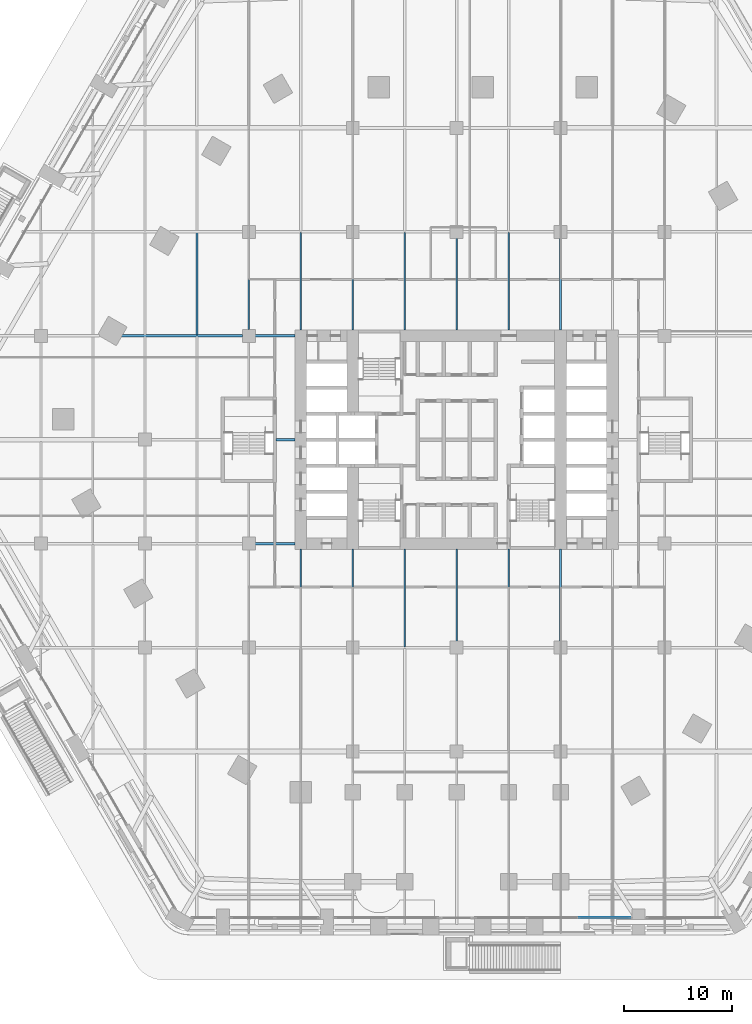
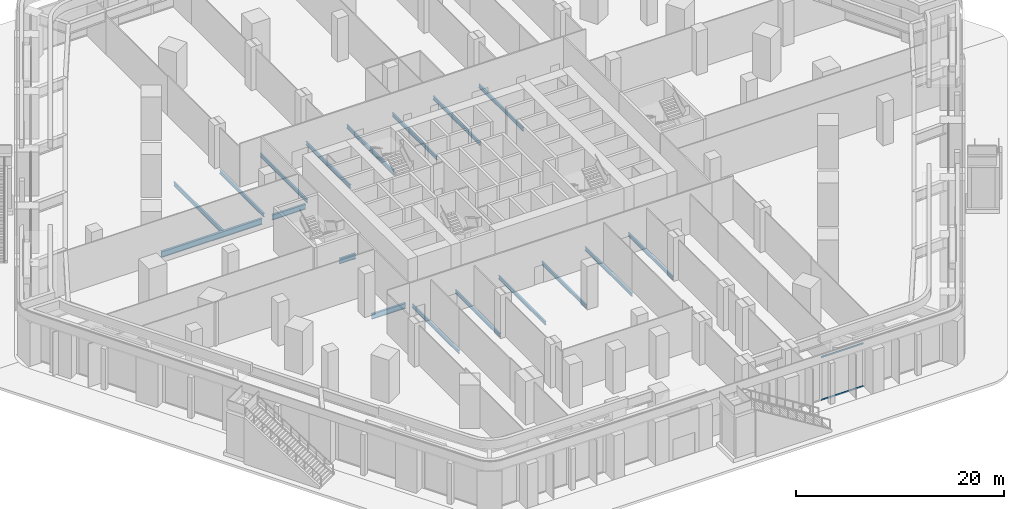
# One storey, part 5 of 34: 18 beams, 2 members, 1 element without a shape of its own.
"""IFC4 building model written with IfcOpenShell, lengths in metres."""

from ifc_helpers import new_model, si_unit, direction, frame, origin, origin_2d, place, context, subcontext, project, spatial, rectangle, i_section, extrude, material, material_profile, profile_set, type_object, element, aggregate, save


model = new_model("IFC4")

# Units and contexts
model_context = context("Model", 3, precision=1e-05, world=origin(), true_north=direction((0.0, 1.0)))
body_context = subcontext(model_context, "Body", "Model", "MODEL_VIEW")
ifc_project = project(units=[si_unit("LENGTHUNIT", "METRE"), si_unit("AREAUNIT", "SQUARE_METRE"), si_unit("VOLUMEUNIT", "CUBIC_METRE"), si_unit("PLANEANGLEUNIT", "RADIAN"), si_unit("MASSUNIT", "GRAM", prefix="KILO")], contexts=[model_context])

# Site, building, storey
site_placement = place(None, origin())
site = spatial("IfcSite", under=ifc_project, at=site_placement, CompositionType="ELEMENT")
building_placement = place(site_placement, origin())
building = spatial("IfcBuilding", under=site, at=building_placement, Name="Kolab Exchange Tower", CompositionType="ELEMENT")
storey_placement = place(building_placement, frame((0.0, 0.0, 7.0)))
storey = spatial("IfcBuildingStorey", under=building, at=storey_placement, Name="L01", CompositionType="ELEMENT", Elevation=7.0)

# Beams
ifc_material_1 = material(Name="Steel S355", Category="steel")
ifc_material_profile_1 = material_profile(ifc_material_1, i_section(OverallWidth=0.177978515625, OverallDepth=0.406982421875, WebThickness=0.0078125, FlangeThickness=0.0126953125, at=origin_2d()), Name="W410X60")
ifc_profile_set_1 = profile_set([ifc_material_profile_1], Name="Steel S355")
beam_type_1 = type_object("IfcBeamType", Name="FLOOR BEAM W410X60", PredefinedType="BEAM", material=ifc_profile_set_1)
beam_1_placement = place(storey_placement, frame((-19.199951171875, 10.159912109375, -0.50341796875), z_axis=(0.0, 1.0, 0.0), x_axis=(-1.0, 0.0, 0.0)))
element("IfcBeam", 1, at=beam_1_placement, inside=storey, type_object=beam_type_1, Name="beam/L01/fr/044", PredefinedType="BEAM", context=body_context, shape_type="SweptSolid", body=[
    extrude(i_section(OverallWidth=0.177978515625, OverallDepth=0.406982421875, WebThickness=0.0078125, FlangeThickness=0.0126953125, at=origin_2d()), origin(), (0.0, 0.0, 1.0), 8.47998046875),
])
for number, where, z_axis, x_axis, name in (
    (2, (-14.39990234375, -19.1259765625, -0.50341796875), (0.0, 1.0, 0.0), (-1.0, 0.0, 0.0), "beam/L01/fr/050"),
    (3, (-14.39990234375, 10.110107421875, -0.50341796875), (0.0, 1.0, 0.0), (-1.0, 0.0, 0.0), "beam/L01/fr/051"),
):
    element("IfcBeam", number, at=place(storey_placement, frame(where, z_axis=z_axis, x_axis=x_axis)), inside=storey, type_object=beam_type_1, Name=name, PredefinedType="BEAM", context=body_context, shape_type="SweptSolid", body=[
        extrude(i_section(OverallWidth=0.177978515625, OverallDepth=0.406982421875, WebThickness=0.0078125, FlangeThickness=0.0126953125, at=origin_2d()), origin(), (0.0, 0.0, 1.0), 9.015869140625),
    ])
for number, where, z_axis, x_axis, name in (
    (4, (-9.60009765625, -18.639892578125, -0.50341796875), (0.0, 1.0, 0.0), (-1.0, 0.0, 0.0), "beam/L01/fr/058"),
    (5, (-9.60009765625, 10.110107421875, -0.50341796875), (0.0, 1.0, 0.0), (-1.0, 0.0, 0.0), "beam/L01/fr/059"),
):
    element("IfcBeam", number, at=place(storey_placement, frame(where, z_axis=z_axis, x_axis=x_axis)), inside=storey, type_object=beam_type_1, Name=name, PredefinedType="BEAM", context=body_context, shape_type="SweptSolid", body=[
        extrude(i_section(OverallWidth=0.177978515625, OverallDepth=0.406982421875, WebThickness=0.0078125, FlangeThickness=0.0126953125, at=origin_2d()), origin(), (0.0, 0.0, 1.0), 8.52978515625),
    ])
for number, where, z_axis, x_axis, name in (
    (6, (-4.800048828125, -19.1259765625, -0.50341796875), (0.0, 1.0, 0.0), (-1.0, 0.0, 0.0), "beam/L01/fr/066"),
    (7, (-4.800048828125, 10.110107421875, -0.50341796875), (0.0, 1.0, 0.0), (-1.0, 0.0, 0.0), "beam/L01/fr/067"),
):
    element("IfcBeam", number, at=place(storey_placement, frame(where, z_axis=z_axis, x_axis=x_axis)), inside=storey, type_object=beam_type_1, Name=name, PredefinedType="BEAM", context=body_context, shape_type="SweptSolid", body=[
        extrude(i_section(OverallWidth=0.177978515625, OverallDepth=0.406982421875, WebThickness=0.0078125, FlangeThickness=0.0126953125, at=origin_2d()), origin(), (0.0, 0.0, 1.0), 9.015869140625),
    ])
for number, where, z_axis, x_axis, name in (
    (8, (0.0, -18.639892578125, -0.50341796875), (0.0, 1.0, 0.0), (-1.0, 0.0, 0.0), "beam/L01/fr/073"),
    (9, (0.0, 10.110107421875, -0.50341796875), (0.0, 1.0, 0.0), (-1.0, 0.0, 0.0), "beam/L01/fr/074"),
):
    element("IfcBeam", number, at=place(storey_placement, frame(where, z_axis=z_axis, x_axis=x_axis)), inside=storey, type_object=beam_type_1, Name=name, PredefinedType="BEAM", context=body_context, shape_type="SweptSolid", body=[
        extrude(i_section(OverallWidth=0.177978515625, OverallDepth=0.406982421875, WebThickness=0.0078125, FlangeThickness=0.0126953125, at=origin_2d()), origin(), (0.0, 0.0, 1.0), 8.52978515625),
    ])
for number, where, z_axis, x_axis, name in (
    (10, (4.800048828125, -19.1259765625, -0.50341796875), (0.0, 1.0, 0.0), (-1.0, 0.0, 0.0), "beam/L01/fr/081"),
    (11, (4.800048828125, 10.110107421875, -0.50341796875), (0.0, 1.0, 0.0), (-1.0, 0.0, 0.0), "beam/L01/fr/082"),
):
    element("IfcBeam", number, at=place(storey_placement, frame(where, z_axis=z_axis, x_axis=x_axis)), inside=storey, type_object=beam_type_1, Name=name, PredefinedType="BEAM", context=body_context, shape_type="SweptSolid", body=[
        extrude(i_section(OverallWidth=0.177978515625, OverallDepth=0.406982421875, WebThickness=0.0078125, FlangeThickness=0.0126953125, at=origin_2d()), origin(), (0.0, 0.0, 1.0), 9.015869140625),
    ])
for number, where, z_axis, x_axis, name in (
    (12, (9.60009765625, -18.639892578125, -0.50341796875), (0.0, 1.0, 0.0), (-1.0, 0.0, 0.0), "beam/L01/fr/089"),
    (13, (9.60009765625, 10.110107421875, -0.50341796875), (0.0, 1.0, 0.0), (-1.0, 0.0, 0.0), "beam/L01/fr/090"),
):
    element("IfcBeam", number, at=place(storey_placement, frame(where, z_axis=z_axis, x_axis=x_axis)), inside=storey, type_object=beam_type_1, Name=name, PredefinedType="BEAM", context=body_context, shape_type="SweptSolid", body=[
        extrude(i_section(OverallWidth=0.177978515625, OverallDepth=0.406982421875, WebThickness=0.0078125, FlangeThickness=0.0126953125, at=origin_2d()), origin(), (0.0, 0.0, 1.0), 8.52978515625),
    ])
ifc_material_profile_2 = material_profile(ifc_material_1, i_section(OverallWidth=0.18994140625, OverallDepth=0.45703125, WebThickness=0.009033203125, FlangeThickness=0.014404296875, at=origin_2d()), Name="W460X74")
ifc_profile_set_2 = profile_set([ifc_material_profile_2], Name="Steel S355")
beam_type_2 = type_object("IfcBeamType", Name="FLOOR BEAM W460X74", PredefinedType="BEAM", material=ifc_profile_set_2)
beam_2_placement = place(storey_placement, frame((-24.0, 9.68701171875, -0.528564453125), z_axis=(0.0, 1.0, 0.0), x_axis=(-1.0, 0.0, 0.0)))
element("IfcBeam", 14, at=beam_2_placement, inside=storey, type_object=beam_type_2, Name="beam/L01/fr/036", PredefinedType="BEAM", context=body_context, shape_type="SweptSolid", body=[
    extrude(i_section(OverallWidth=0.18994140625, OverallDepth=0.45703125, WebThickness=0.009033203125, FlangeThickness=0.014404296875, at=origin_2d()), origin(), (0.0, 0.0, 1.0), 9.43896484375),
])
ifc_material_profile_3 = material_profile(ifc_material_1, i_section(OverallWidth=0.22802734375, OverallDepth=0.60791015625, WebThickness=0.01123046875, FlangeThickness=0.017333984375, at=origin_2d()), Name="W610X113")
ifc_profile_set_3 = profile_set([ifc_material_profile_3], Name="Steel S355")
beam_type_3 = type_object("IfcBeamType", Name="FLOOR GIRDER W610X113", PredefinedType="BEAM", material=ifc_profile_set_3)
for number, where, z_axis, x_axis, name in (
    (15, (-18.639892578125, -9.60009765625, -0.60400390625), (1.0, 0.0, 0.0), (0.0, 1.0, 0.0), "beam/L01/gd/015"),
    (16, (-18.639892578125, 9.60009765625, -0.60400390625), (1.0, 0.0, 0.0), (0.0, 1.0, 0.0), "beam/L01/gd/016"),
):
    element("IfcBeam", number, at=place(storey_placement, frame(where, z_axis=z_axis, x_axis=x_axis)), inside=storey, type_object=beam_type_3, Name=name, PredefinedType="BEAM", context=body_context, shape_type="SweptSolid", body=[
        extrude(i_section(OverallWidth=0.22802734375, OverallDepth=0.60791015625, WebThickness=0.01123046875, FlangeThickness=0.017333984375, at=origin_2d()), origin(), (0.0, 0.0, 1.0), 3.72998046875),
    ])
beam_3_placement = place(storey_placement, frame((-16.68994140625, 0.0, -0.60400390625), z_axis=(1.0, 0.0, 0.0), x_axis=(0.0, 1.0, 0.0)))
element("IfcBeam", 17, at=beam_3_placement, inside=storey, type_object=beam_type_3, Name="beam/L01/gd/018", PredefinedType="BEAM", context=body_context, shape_type="SweptSolid", body=[
    extrude(i_section(OverallWidth=0.22802734375, OverallDepth=0.60791015625, WebThickness=0.01123046875, FlangeThickness=0.017333984375, at=origin_2d()), origin(), (0.0, 0.0, 1.0), 1.780029296875),
])
ifc_material_profile_4 = material_profile(ifc_material_1, i_section(OverallWidth=0.25390625, OverallDepth=0.68408203125, WebThickness=0.012451171875, FlangeThickness=0.018798828125, at=origin_2d()), Name="W690X140")
ifc_profile_set_4 = profile_set([ifc_material_profile_4], Name="Steel S355")
beam_type_4 = type_object("IfcBeamType", Name="FLOOR GIRDER W690X140", PredefinedType="BEAM", material=ifc_profile_set_4)
beam_4_placement = place(storey_placement, frame((-30.934326171875, 9.60009765625, -0.64208984375), z_axis=(1.0, 0.0, 0.0), x_axis=(0.0, 1.0, 0.0)))
element("IfcBeam", 18, at=beam_4_placement, inside=storey, type_object=beam_type_4, Name="beam/L01/gd/009", PredefinedType="BEAM", context=body_context, shape_type="SweptSolid", body=[
    extrude(i_section(OverallWidth=0.25390625, OverallDepth=0.68408203125, WebThickness=0.012451171875, FlangeThickness=0.018798828125, at=origin_2d()), origin(), (0.0, 0.0, 1.0), 11.17431640625),
])

# Curtain wall, members
ifc_material_2 = material(Name="Aluminium EN AW-6063 T6", Category="aluminium")
curtain_wall_type = type_object("IfcCurtainWallType", Name="PODIUM STRUCTURAL GLAZING CURTAIN WALL", PredefinedType="NOTDEFINED", material=ifc_material_2)
curtain_wall_placement = place(storey_placement, origin())
curtain_wall = element("IfcCurtainWall", 19, at=curtain_wall_placement, inside=storey, type_object=curtain_wall_type, Name="cw/L01/F4-2", PredefinedType="NOTDEFINED")
ifc_material_profile_5 = material_profile(ifc_material_2, rectangle(XDim=0.080078125, YDim=0.179931640625, at=origin_2d()), Name="RECT 80X180")
ifc_profile_set_5 = profile_set([ifc_material_profile_5], Name="Aluminium EN AW-6063 T6")
member_type = type_object("IfcMemberType", Name="PODIUM STRUCTURAL GLAZING TRANSOM 80 X 180", PredefinedType="USERDEFINED", material=ifc_profile_set_5)
member_1_placement = place(storey_placement, frame((16.010009765625, -44.146240234375, 0.0400390625), z_axis=(-1.0, 0.0, 0.0), x_axis=(0.0, -1.0, 0.0)))
member_1 = element("IfcMember", 20, at=member_1_placement, type_object=member_type, Name="CW5 transom 1.1", ObjectType="TRANSOM", PredefinedType="USERDEFINED", context=body_context, shape_type="SweptSolid", body=[
    extrude(rectangle(XDim=0.080078125, YDim=0.179931640625, at=origin_2d()), origin(), (0.0, 0.0, 1.0), 4.694091796875),
])
member_2_placement = place(storey_placement, frame((16.010009765625, -44.146240234375, 5.06005859375), z_axis=(-1.0, 0.0, 0.0), x_axis=(0.0, -1.0, 0.0)))
member_2 = element("IfcMember", 21, at=member_2_placement, type_object=member_type, Name="CW5 transom 1.2", ObjectType="TRANSOM", PredefinedType="USERDEFINED", context=body_context, shape_type="SweptSolid", body=[
    extrude(rectangle(XDim=0.080078125, YDim=0.179931640625, at=origin_2d()), origin(), (0.0, 0.0, 1.0), 4.694091796875),
])
aggregate(curtain_wall, [member_1, member_2])

save(model, "model.ifc")
